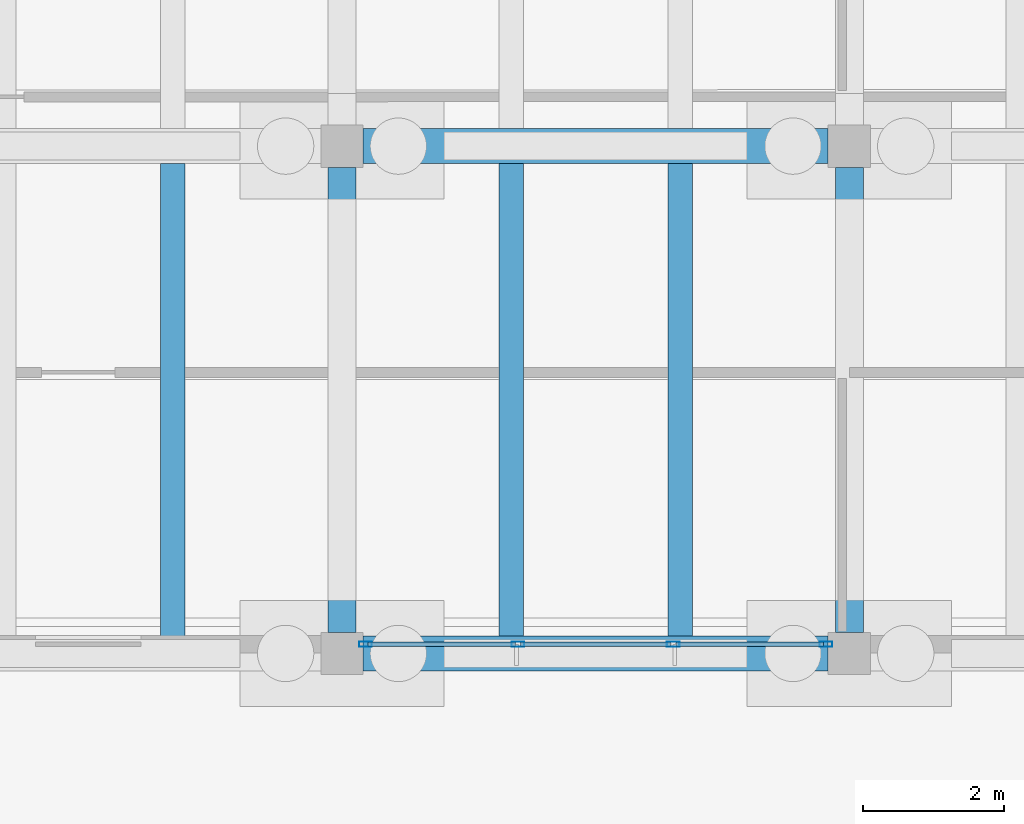
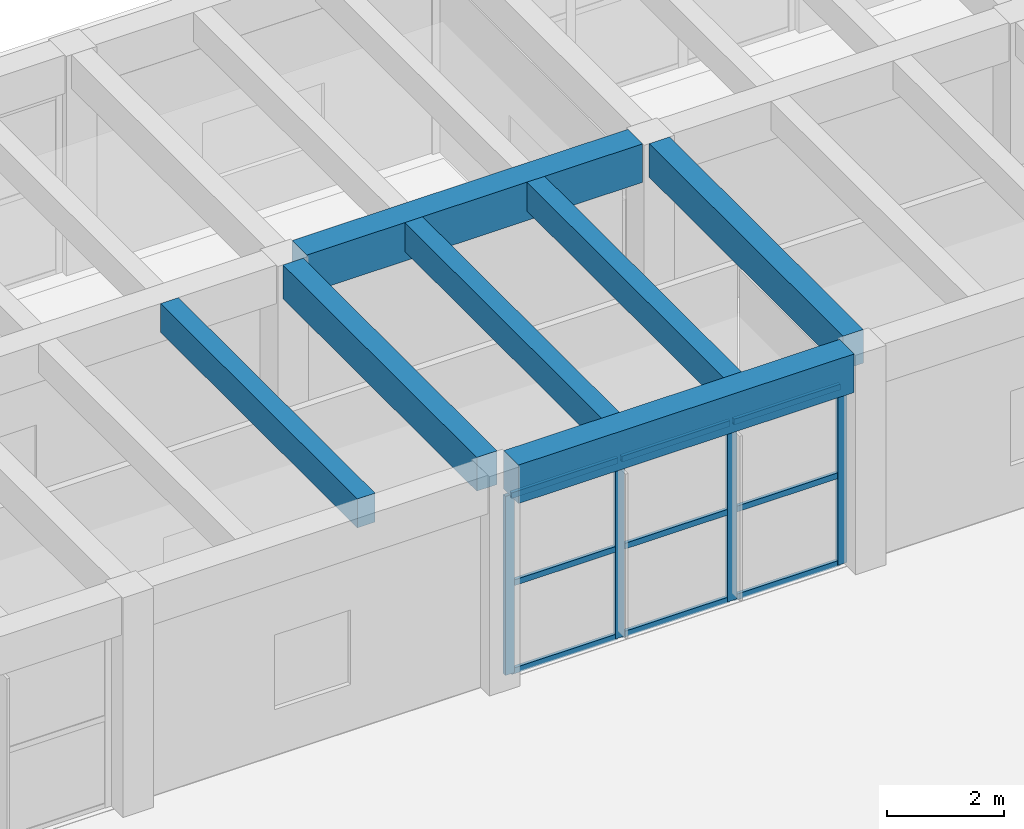
# One storey, part 99 of 155: 13 members, 7 beams, 1 element without a shape of its own.
"""IFC4 building model written with IfcOpenShell, lengths in metres."""

from ifc_helpers import new_model, si_unit, direction, frame, origin, origin_2d, place, context, subcontext, project, spatial, rectangle, hollow_rectangle, extrude, material, material_profile, profile_set, type_object, element, aggregate, save


model = new_model("IFC4")

# Units and contexts
model_context = context("Model", 3, precision=1e-05, world=origin(), true_north=direction((0.0, 1.0)))
body_context = subcontext(model_context, "Body", "Model", "MODEL_VIEW")
ifc_project = project(units=[si_unit("LENGTHUNIT", "METRE"), si_unit("AREAUNIT", "SQUARE_METRE"), si_unit("VOLUMEUNIT", "CUBIC_METRE"), si_unit("PLANEANGLEUNIT", "RADIAN"), si_unit("MASSUNIT", "GRAM", prefix="KILO")], contexts=[model_context])

# Site, building, storey
site_placement = place(None, origin())
site = spatial("IfcSite", under=ifc_project, at=site_placement, CompositionType="ELEMENT")
building_placement = place(site_placement, origin())
building = spatial("IfcBuilding", under=site, at=building_placement, Name="Bramvelor Terrace Health Centre", CompositionType="ELEMENT")
storey_placement = place(building_placement, origin())
storey = spatial("IfcBuildingStorey", under=building, at=storey_placement, Name="L01", CompositionType="ELEMENT", Elevation=0.0)

# Beams
ifc_material_1 = material(Name="Concrete C40/50", Category="concrete")
ifc_material_profile_1 = material_profile(ifc_material_1, rectangle(XDim=0.39990234375, YDim=0.699951171875, at=origin_2d()), Name="RC 400x700")
ifc_profile_set_1 = profile_set([ifc_material_profile_1], Name="Concrete C40/50")
beam_type_1 = type_object("IfcBeamType", Name="BM-RC-G700", PredefinedType="BEAM", material=ifc_profile_set_1)
for number, where, z_axis, x_axis, name in (
    (1, (129.60009765625, 50.699951171875, 4.2099609375), (0.0, 1.0, 0.0), (-1.0, 0.0, 0.0), "L01 Floor Girder"),
    (2, (136.800048828125, 50.699951171875, 4.2099609375), (0.0, 1.0, 0.0), (-1.0, 0.0, 0.0), "L01 Floor Girder"),
):
    element("IfcBeam", number, at=place(storey_placement, frame(where, z_axis=z_axis, x_axis=x_axis)), inside=storey, type_object=beam_type_1, Name=name, PredefinedType="BEAM", context=body_context, shape_type="SweptSolid", body=[
        extrude(rectangle(XDim=0.39990234375, YDim=0.699951171875, at=origin_2d()), origin(), (0.0, 0.0, 1.0), 6.60009765625),
    ])
ifc_material_2 = material(Name="Concrete C40/50", Category="concrete")
ifc_material_profile_2 = material_profile(ifc_material_2, rectangle(XDim=0.5, YDim=0.800048828125, at=origin_2d()), Name="RC 500x800")
ifc_profile_set_2 = profile_set([ifc_material_profile_2], Name="Concrete C40/50")
beam_type_2 = type_object("IfcBeamType", Name="BM-RC-G800", PredefinedType="BEAM", material=ifc_profile_set_2)
for number, where, z_axis, x_axis, name in (
    (3, (129.89990234375, 50.39990234375, 4.159912109375), (1.0, 0.0, 0.0), (0.0, 1.0, 0.0), "L01 Floor Girder"),
    (4, (129.89990234375, 57.60009765625, 4.159912109375), (1.0, 0.0, 0.0), (0.0, 1.0, 0.0), "L01 Floor Girder"),
):
    element("IfcBeam", number, at=place(storey_placement, frame(where, z_axis=z_axis, x_axis=x_axis)), inside=storey, type_object=beam_type_2, Name=name, PredefinedType="BEAM", context=body_context, shape_type="SweptSolid", body=[
        extrude(rectangle(XDim=0.5, YDim=0.800048828125, at=origin_2d()), origin(), (0.0, 0.0, 1.0), 6.60009765625),
    ])
ifc_material_3 = material(Name="Concrete C40/50", Category="concrete")
ifc_material_profile_3 = material_profile(ifc_material_3, rectangle(XDim=0.35009765625, YDim=0.60009765625, at=origin_2d()), Name="RC 350x600")
ifc_profile_set_3 = profile_set([ifc_material_profile_3], Name="Concrete C40/50")
beam_type_3 = type_object("IfcBeamType", Name="BM-RC-J600", PredefinedType="JOIST", material=ifc_profile_set_3)
for number, where, z_axis, x_axis, name in (
    (5, (127.199951171875, 50.64990234375, 4.260009765625), (0.0, 1.0, 0.0), (-1.0, 0.0, 0.0), "L01 Secondary Floor Joist"),
    (6, (132.0, 50.64990234375, 4.260009765625), (0.0, 1.0, 0.0), (-1.0, 0.0, 0.0), "L01 Secondary Floor Joist"),
    (7, (134.39990234375, 50.64990234375, 4.260009765625), (0.0, 1.0, 0.0), (-1.0, 0.0, 0.0), "L01 Secondary Floor Joist"),
):
    element("IfcBeam", number, at=place(storey_placement, frame(where, z_axis=z_axis, x_axis=x_axis)), inside=storey, type_object=beam_type_3, Name=name, PredefinedType="JOIST", context=body_context, shape_type="SweptSolid", body=[
        extrude(rectangle(XDim=0.35009765625, YDim=0.60009765625, at=origin_2d()), origin(), (0.0, 0.0, 1.0), 6.7001953125),
    ])

# Curtain wall, members
ifc_material_4 = material(Name="Anodized aluminium and double low-E glass", Category="aluminium")
curtain_wall_type = type_object("IfcCurtainWallType", Name="CW-SYS-02", PredefinedType="NOTDEFINED", material=ifc_material_4)
curtain_wall_placement = place(storey_placement, origin())
curtain_wall = element("IfcCurtainWall", 8, at=curtain_wall_placement, inside=storey, type_object=curtain_wall_type, Name="L01 Unitized Curtain Wall 43", PredefinedType="NOTDEFINED")
ifc_material_5 = material(Name="Anodized aluminium 6063-T6", Category="aluminium")
ifc_material_profile_4 = material_profile(ifc_material_5, hollow_rectangle(XDim=0.074951171875, YDim=0.179931640625, WallThickness=0.00341796875, at=origin_2d()), Name="ALU-MUL 75x180x3.5")
ifc_profile_set_4 = profile_set([ifc_material_profile_4], Name="Anodized aluminium 6063-T6")
member_type_1 = type_object("IfcMemberType", Name="CW-MUL-65x180", PredefinedType="MULLION", material=ifc_profile_set_4)
member_1_placement = place(storey_placement, frame((136.467529296875, 50.530029296875, 0.0), z_axis=(0.0, 0.0, 1.0), x_axis=(0.0, -1.0, 0.0)))
member_1 = element("IfcMember", 9, at=member_1_placement, type_object=member_type_1, Name="CW-02 mullion 1", PredefinedType="MULLION", context=body_context, shape_type="SweptSolid", body=[
    extrude(hollow_rectangle(XDim=0.074951171875, YDim=0.179931640625, WallThickness=0.00341796875, at=origin_2d()), origin(), (0.0, 0.0, 1.0), 3.719970703125),
])
member_2_placement = place(storey_placement, frame((134.3017578125, 50.530029296875, 0.0), z_axis=(0.0, 0.0, 1.0), x_axis=(0.0, -1.0, 0.0)))
member_2 = element("IfcMember", 10, at=member_2_placement, type_object=member_type_1, Name="CW-02 mullion 2", PredefinedType="MULLION", context=body_context, shape_type="SweptSolid", body=[
    extrude(hollow_rectangle(XDim=0.074951171875, YDim=0.179931640625, WallThickness=0.00341796875, at=origin_2d()), origin(), (0.0, 0.0, 1.0), 3.719970703125),
])
member_3_placement = place(storey_placement, frame((132.098388671875, 50.530029296875, 0.0), z_axis=(0.0, 0.0, 1.0), x_axis=(0.0, -1.0, 0.0)))
member_3 = element("IfcMember", 11, at=member_3_placement, type_object=member_type_1, Name="CW-02 mullion 3", PredefinedType="MULLION", context=body_context, shape_type="SweptSolid", body=[
    extrude(hollow_rectangle(XDim=0.074951171875, YDim=0.179931640625, WallThickness=0.00341796875, at=origin_2d()), origin(), (0.0, 0.0, 1.0), 3.719970703125),
])
member_4_placement = place(storey_placement, frame((129.9326171875, 50.530029296875, 0.0), z_axis=(0.0, 0.0, 1.0), x_axis=(0.0, -1.0, 0.0)))
member_4 = element("IfcMember", 12, at=member_4_placement, type_object=member_type_1, Name="CW-02 mullion 4", PredefinedType="MULLION", context=body_context, shape_type="SweptSolid", body=[
    extrude(hollow_rectangle(XDim=0.074951171875, YDim=0.179931640625, WallThickness=0.00341796875, at=origin_2d()), origin(), (0.0, 0.0, 1.0), 3.719970703125),
])
ifc_material_6 = material(Name="Anodized aluminium 6063-T6", Category="aluminium")
ifc_material_profile_5 = material_profile(ifc_material_6, hollow_rectangle(XDim=0.06494140625, YDim=0.1201171875, WallThickness=0.0029296875, at=origin_2d()), Name="ALU-TRN 65x120x3.0")
ifc_profile_set_5 = profile_set([ifc_material_profile_5], Name="Anodized aluminium 6063-T6")
member_type_2 = type_object("IfcMemberType", Name="CW-TRN-65x150", PredefinedType="USERDEFINED", material=ifc_profile_set_5)
member_5_placement = place(storey_placement, frame((136.429931640625, 50.530029296875, 0.032470703125), z_axis=(-1.0, 0.0, 0.0), x_axis=(0.0, -1.0, 0.0)))
member_5 = element("IfcMember", 13, at=member_5_placement, type_object=member_type_2, Name="CW-02 transom 1.1", ObjectType="TRANSOM", PredefinedType="USERDEFINED", context=body_context, shape_type="SweptSolid", body=[
    extrude(hollow_rectangle(XDim=0.06494140625, YDim=0.1201171875, WallThickness=0.0029296875, at=origin_2d()), origin(), (0.0, 0.0, 1.0), 2.0908203125),
])
member_6_placement = place(storey_placement, frame((136.429931640625, 50.530029296875, 1.860107421875), z_axis=(-1.0, 0.0, 0.0), x_axis=(0.0, -1.0, 0.0)))
member_6 = element("IfcMember", 14, at=member_6_placement, type_object=member_type_2, Name="CW-02 transom 1.2", ObjectType="TRANSOM", PredefinedType="USERDEFINED", context=body_context, shape_type="SweptSolid", body=[
    extrude(hollow_rectangle(XDim=0.06494140625, YDim=0.1201171875, WallThickness=0.0029296875, at=origin_2d()), origin(), (0.0, 0.0, 1.0), 2.0908203125),
])
member_7_placement = place(storey_placement, frame((136.429931640625, 50.530029296875, 3.6875), z_axis=(-1.0, 0.0, 0.0), x_axis=(0.0, -1.0, 0.0)))
member_7 = element("IfcMember", 15, at=member_7_placement, type_object=member_type_2, Name="CW-02 transom 1.3", ObjectType="TRANSOM", PredefinedType="USERDEFINED", context=body_context, shape_type="SweptSolid", body=[
    extrude(hollow_rectangle(XDim=0.06494140625, YDim=0.1201171875, WallThickness=0.0029296875, at=origin_2d()), origin(), (0.0, 0.0, 1.0), 2.0908203125),
])
member_8_placement = place(storey_placement, frame((134.26416015625, 50.530029296875, 0.032470703125), z_axis=(-1.0, 0.0, 0.0), x_axis=(0.0, -1.0, 0.0)))
member_8 = element("IfcMember", 16, at=member_8_placement, type_object=member_type_2, Name="CW-02 transom 2.1", ObjectType="TRANSOM", PredefinedType="USERDEFINED", context=body_context, shape_type="SweptSolid", body=[
    extrude(hollow_rectangle(XDim=0.06494140625, YDim=0.1201171875, WallThickness=0.0029296875, at=origin_2d()), origin(), (0.0, 0.0, 1.0), 2.12841796875),
])
member_9_placement = place(storey_placement, frame((134.26416015625, 50.530029296875, 1.860107421875), z_axis=(-1.0, 0.0, 0.0), x_axis=(0.0, -1.0, 0.0)))
member_9 = element("IfcMember", 17, at=member_9_placement, type_object=member_type_2, Name="CW-02 transom 2.2", ObjectType="TRANSOM", PredefinedType="USERDEFINED", context=body_context, shape_type="SweptSolid", body=[
    extrude(hollow_rectangle(XDim=0.06494140625, YDim=0.1201171875, WallThickness=0.0029296875, at=origin_2d()), origin(), (0.0, 0.0, 1.0), 2.12841796875),
])
member_10_placement = place(storey_placement, frame((134.26416015625, 50.530029296875, 3.6875), z_axis=(-1.0, 0.0, 0.0), x_axis=(0.0, -1.0, 0.0)))
member_10 = element("IfcMember", 18, at=member_10_placement, type_object=member_type_2, Name="CW-02 transom 2.3", ObjectType="TRANSOM", PredefinedType="USERDEFINED", context=body_context, shape_type="SweptSolid", body=[
    extrude(hollow_rectangle(XDim=0.06494140625, YDim=0.1201171875, WallThickness=0.0029296875, at=origin_2d()), origin(), (0.0, 0.0, 1.0), 2.12841796875),
])
member_11_placement = place(storey_placement, frame((132.060791015625, 50.530029296875, 0.032470703125), z_axis=(-1.0, 0.0, 0.0), x_axis=(0.0, -1.0, 0.0)))
member_11 = element("IfcMember", 19, at=member_11_placement, type_object=member_type_2, Name="CW-02 transom 3.1", ObjectType="TRANSOM", PredefinedType="USERDEFINED", context=body_context, shape_type="SweptSolid", body=[
    extrude(hollow_rectangle(XDim=0.06494140625, YDim=0.1201171875, WallThickness=0.0029296875, at=origin_2d()), origin(), (0.0, 0.0, 1.0), 2.0908203125),
])
member_12_placement = place(storey_placement, frame((132.060791015625, 50.530029296875, 1.860107421875), z_axis=(-1.0, 0.0, 0.0), x_axis=(0.0, -1.0, 0.0)))
member_12 = element("IfcMember", 20, at=member_12_placement, type_object=member_type_2, Name="CW-02 transom 3.2", ObjectType="TRANSOM", PredefinedType="USERDEFINED", context=body_context, shape_type="SweptSolid", body=[
    extrude(hollow_rectangle(XDim=0.06494140625, YDim=0.1201171875, WallThickness=0.0029296875, at=origin_2d()), origin(), (0.0, 0.0, 1.0), 2.0908203125),
])
member_13_placement = place(storey_placement, frame((132.060791015625, 50.530029296875, 3.6875), z_axis=(-1.0, 0.0, 0.0), x_axis=(0.0, -1.0, 0.0)))
member_13 = element("IfcMember", 21, at=member_13_placement, type_object=member_type_2, Name="CW-02 transom 3.3", ObjectType="TRANSOM", PredefinedType="USERDEFINED", context=body_context, shape_type="SweptSolid", body=[
    extrude(hollow_rectangle(XDim=0.06494140625, YDim=0.1201171875, WallThickness=0.0029296875, at=origin_2d()), origin(), (0.0, 0.0, 1.0), 2.0908203125),
])
aggregate(curtain_wall, [member_1, member_2, member_3, member_4, member_5, member_6, member_7, member_8, member_9, member_10, member_11, member_12, member_13])

save(model, "model.ifc")
